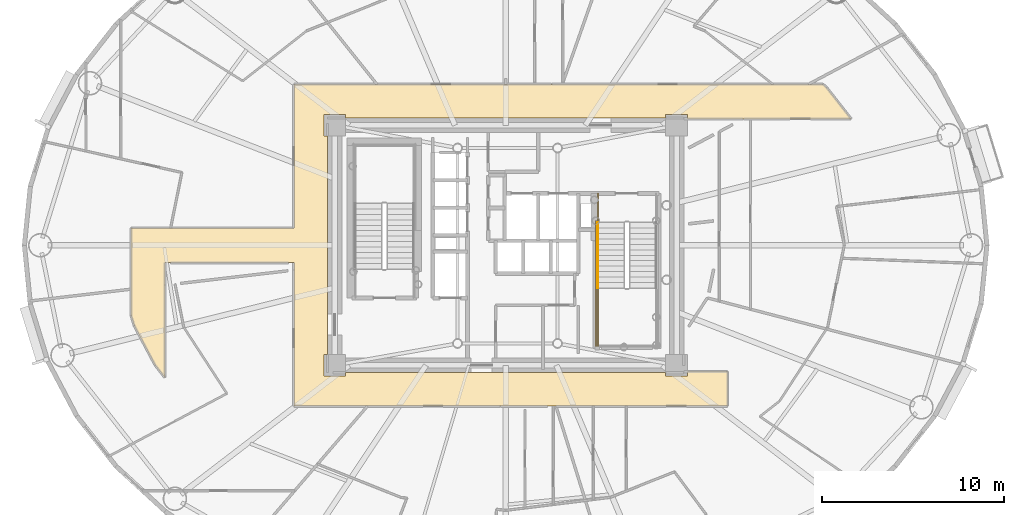
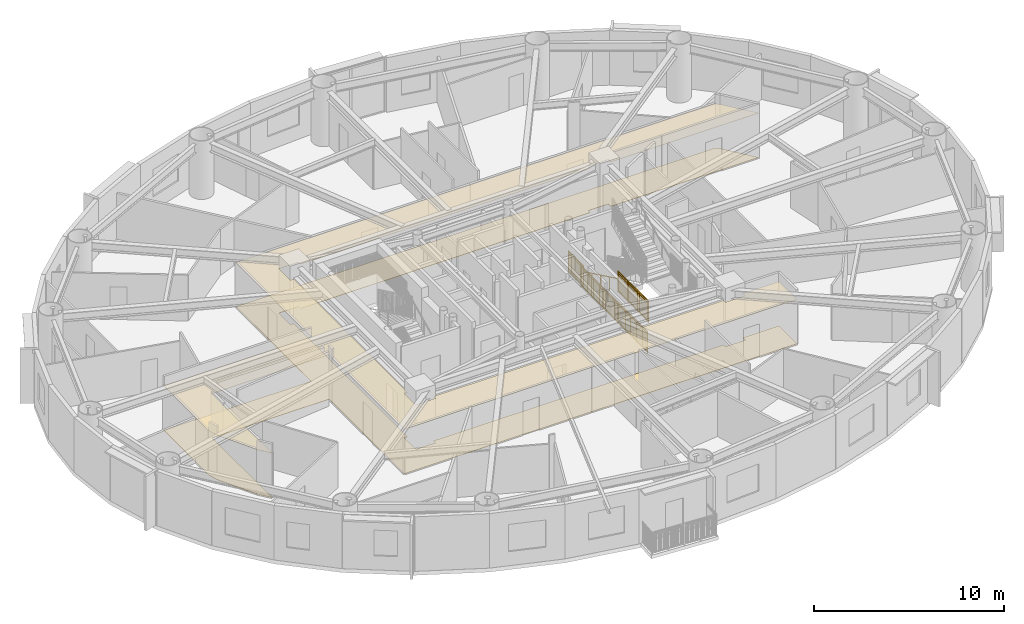
# One storey, part 14 of 18: 4 railings, 2 coverings.
"""IFC4 building model written with IfcOpenShell, lengths in metres."""

import ifcopenshell
import ifcopenshell.guid

model = None  # the IFC model being written
_history = None  # IfcOwnerHistory: only IFC2X3 demands one
_inside = {}  # id of a spatial element -> (the spatial element, [elements in it])
_under = {}  # id of a project, library or spatial element -> (it, [spatial elements below it])
_declared = {}  # id of a project -> (the project, [libraries it declares])
_typed = {}  # id of a type object -> (the type object, [elements of that type])
_made_of = {}  # id of a material, layer set ... -> (it, [elements and type objects made of it])


def new_model(schema):
    """Start an empty IFC model of exactly this schema.

    Asked for "IFC4X3", IfcOpenShell would pick the latest addendum, in which some entities
    have other attributes; the version numbers below select the first issue.
    IFC2X3 requires an IfcOwnerHistory on every rooted entity: one is made here for all.
    """
    global model, _history
    if schema == "IFC4X3":
        model = ifcopenshell.file(schema_version=(4, 3, 0, 0))
    else:
        model = ifcopenshell.file(schema=schema)
    _inside.clear()
    _under.clear()
    _declared.clear()
    _typed.clear()
    _made_of.clear()
    _history = None
    if model.schema == "IFC2X3":
        org = make("IfcOrganization", Name="unknown")
        user = make(
            "IfcPersonAndOrganization",
            ThePerson=make("IfcPerson", FamilyName="unknown"),
            TheOrganization=org,
        )
        app = make(
            "IfcApplication",
            ApplicationDeveloper=org,
            Version="unknown",
            ApplicationFullName="unknown",
            ApplicationIdentifier="unknown",
        )
        _history = make(
            "IfcOwnerHistory",
            OwningUser=user,
            OwningApplication=app,
            ChangeAction="ADDED",
            CreationDate=0,
        )
    return model


def make(cls, **values):
    """One entity of the class cls with the attributes given. An attribute that is None is left unset."""
    return model.create_entity(
        cls, **{name: value for name, value in values.items() if value is not None}
    )


def rooted(cls, **values):
    """An entity with a GlobalId (a new one), such as an element, a storey or a relation."""
    return make(cls, GlobalId=ifcopenshell.guid.new(), OwnerHistory=_history, **values)


def si_unit(unit_type, name, prefix=None):
    """IfcSIUnit, for example si_unit("LENGTHUNIT", "METRE", prefix="MILLI")."""
    return make("IfcSIUnit", UnitType=unit_type, Prefix=prefix, Name=name)


def assignment(units):
    """IfcUnitAssignment: the units of a project."""
    return None if units is None else make("IfcUnitAssignment", Units=units)


def point(xyz):
    """IfcCartesianPoint."""
    return None if xyz is None else make("IfcCartesianPoint", Coordinates=xyz)


def direction(xyz):
    """IfcDirection."""
    return None if xyz is None else make("IfcDirection", DirectionRatios=xyz)


def frame(location, z_axis=None, x_axis=None):
    """IfcAxis2Placement3D, a coordinate frame: its origin and axes. An axis left out is left unset."""
    return make(
        "IfcAxis2Placement3D",
        Location=point(location),
        Axis=direction(z_axis),
        RefDirection=direction(x_axis),
    )


def frame_2d(location, x_axis=None):
    """IfcAxis2Placement2D, a coordinate frame in the plane: its origin and x axis."""
    return make(
        "IfcAxis2Placement2D", Location=point(location), RefDirection=direction(x_axis)
    )


def origin():
    """The frame at (0, 0, 0) with its axes left unset."""
    return frame((0.0, 0.0, 0.0))


def origin_2d():
    """The frame at (0, 0) in the plane with its x axis left unset."""
    return frame_2d((0.0, 0.0))


def place(relative_to, where):
    """IfcLocalPlacement: puts the frame where relative to a parent placement (None: the world)."""
    return make(
        "IfcLocalPlacement", PlacementRelTo=relative_to, RelativePlacement=where
    )


def context(
    kind, dimensions, precision=None, world=None, true_north=None, identifier=None
):
    """IfcGeometricRepresentationContext, for example the 3D "Model" context."""
    return make(
        "IfcGeometricRepresentationContext",
        ContextIdentifier=identifier,
        ContextType=kind,
        CoordinateSpaceDimension=dimensions,
        Precision=precision,
        WorldCoordinateSystem=world,
        TrueNorth=true_north,
    )


def subcontext(parent, identifier, kind, view, scale=None):
    """IfcGeometricRepresentationSubContext, for example "Body" below "Model"."""
    return make(
        "IfcGeometricRepresentationSubContext",
        ContextIdentifier=identifier,
        ContextType=kind,
        ParentContext=parent,
        TargetScale=scale,
        TargetView=view,
    )


def project(units=None, contexts=None):
    """IfcProject with its units and contexts."""
    return rooted(
        "IfcProject",
        Name="project",
        RepresentationContexts=contexts,
        UnitsInContext=assignment(units),
    )


def spatial(cls, under=None, at=None, **own):
    """A site, building, storey or space (cls), placed at a placement, below another one or the project."""
    s = rooted(cls, ObjectPlacement=at, **own)
    if under is not None:
        _under.setdefault(under.id(), (under, []))[1].append(s)
    return s


def polyline(points):
    """IfcPolyline through the points."""
    return make("IfcPolyline", Points=[point(p) for p in points])


def profile(cls, at=None, kind="AREA", **sizes):
    """A parametric profile (cls). Its sizes go by their IFC names, for example OverallWidth=200.0."""
    return make(cls, ProfileType=kind, Position=at, **sizes)


def rectangle(**sizes):
    """IfcRectangleProfileDef."""
    return profile("IfcRectangleProfileDef", **sizes)


def outline(outer, holes=None, kind="AREA"):
    """IfcArbitraryClosedProfileDef: a profile drawn as a closed curve; with holes, ...WithVoids."""
    if holes is None:
        return make("IfcArbitraryClosedProfileDef", ProfileType=kind, OuterCurve=outer)
    return make(
        "IfcArbitraryProfileDefWithVoids",
        ProfileType=kind,
        OuterCurve=outer,
        InnerCurves=holes,
    )


def extrude(swept, where, along, depth):
    """IfcExtrudedAreaSolid: the profile swept, set in the frame where, extruded along a direction by depth."""
    return make(
        "IfcExtrudedAreaSolid",
        SweptArea=swept,
        Position=where,
        ExtrudedDirection=direction(along),
        Depth=depth,
    )


def shape(context_of_items, identifier, shape_type, items):
    """IfcShapeRepresentation: the items that make up one representation, for example the "Body"."""
    return make(
        "IfcShapeRepresentation",
        ContextOfItems=context_of_items,
        RepresentationIdentifier=identifier,
        RepresentationType=shape_type,
        Items=items,
    )


def source(mapping_origin, context_of_items, identifier, shape_type, items):
    """IfcRepresentationMap: a shape defined once, which mapped items show again and again."""
    return make(
        "IfcRepresentationMap",
        MappingOrigin=mapping_origin,
        MappedRepresentation=shape(context_of_items, identifier, shape_type, items),
    )


def transform(
    local_origin,
    x_axis=None,
    y_axis=None,
    z_axis=None,
    scale=None,
    scale2=None,
    scale3=None,
    uniform=True,
):
    """IfcCartesianTransformationOperator3D, or its non-uniform kind. x_axis, y_axis, z_axis: its Axis1, 2, 3."""
    if uniform:
        return make(
            "IfcCartesianTransformationOperator3D",
            Axis1=direction(x_axis),
            Axis2=direction(y_axis),
            LocalOrigin=point(local_origin),
            Scale=scale,
            Axis3=direction(z_axis),
        )
    return make(
        "IfcCartesianTransformationOperator3DnonUniform",
        Axis1=direction(x_axis),
        Axis2=direction(y_axis),
        LocalOrigin=point(local_origin),
        Scale=scale,
        Axis3=direction(z_axis),
        Scale2=scale2,
        Scale3=scale3,
    )


def mapped(mapping_source, mapping_target):
    """IfcMappedItem: shows the shape of a source again, moved by a transform."""
    return make(
        "IfcMappedItem", MappingSource=mapping_source, MappingTarget=mapping_target
    )


def material(Name=None, Category=None):
    """IfcMaterial."""
    return make("IfcMaterial", Name=Name, Category=Category)


def layer(
    of_material, thickness, ventilated=None, Name=None, Category=None, Priority=None
):
    """IfcMaterialLayer: one layer of a wall or slab, of a material (None: an air gap)."""
    return make(
        "IfcMaterialLayer",
        Material=of_material,
        LayerThickness=thickness,
        IsVentilated=ventilated,
        Name=Name,
        Category=Category,
        Priority=Priority,
    )


def layer_set(layers, Name=None):
    """IfcMaterialLayerSet."""
    return make("IfcMaterialLayerSet", MaterialLayers=layers, LayerSetName=Name)


def made_of(thing, what):
    """Note that an element or type object is made of a material, layer set ...; save() writes the relation."""
    if what is not None:
        _made_of.setdefault(what.id(), (what, []))[1].append(thing)
    return thing


def type_object(cls, material=None, **own):
    """A type object (cls), such as IfcWallType, which elements share."""
    return made_of(rooted(cls, **own), material)


def element(
    cls,
    number,
    at=None,
    inside=None,
    cuts=None,
    type_object=None,
    material=None,
    context=None,
    identifier="Body",
    shape_type=None,
    held_by="IfcProductDefinitionShape",
    body=None,
    shapes=None,
    **own,
):
    """One element of the class cls, such as IfcWall. Its Tag is "e" and its number.

    at: its placement. inside: the storey or other place that contains it. cuts: it is an
    opening in that element (IfcRelVoidsElement). A single representation is given by context,
    identifier, shape_type and body (its items); several are given by shapes. held_by: the class
    of the entity that holds the representations. save() writes the other relations.
    """
    e = rooted(cls, Tag="e%d" % number, ObjectPlacement=at, **own)
    if body is not None:
        shapes = [shape(context, identifier, shape_type, body)]
    if shapes is not None:
        e.Representation = make(held_by, Representations=shapes)
    if inside is not None:
        _inside.setdefault(inside.id(), (inside, []))[1].append(e)
    if cuts is not None:
        rooted(
            "IfcRelVoidsElement", RelatingBuildingElement=cuts, RelatedOpeningElement=e
        )
    if type_object is not None:
        _typed.setdefault(type_object.id(), (type_object, []))[1].append(e)
    return made_of(e, material)


def aggregate(whole, parts):
    """IfcRelAggregates: a whole, such as a stair, and the parts it consists of."""
    return rooted("IfcRelAggregates", RelatingObject=whole, RelatedObjects=parts)


def save(model, path):
    """Write the relations noted so far, then the file.

    IfcRelAggregates (storeys below a building ...), IfcRelContainedInSpatialStructure (elements
    in a storey), IfcRelDefinesByType, IfcRelAssociatesMaterial and IfcRelDeclares: one each for
    every whole, place, type object, material and project.
    """
    for whole, parts in _under.values():
        aggregate(whole, parts)
    for where, things in _inside.values():
        rooted(
            "IfcRelContainedInSpatialStructure",
            RelatedElements=things,
            RelatingStructure=where,
        )
    for kind, things in _typed.values():
        rooted("IfcRelDefinesByType", RelatedObjects=things, RelatingType=kind)
    for what, things in _made_of.values():
        rooted("IfcRelAssociatesMaterial", RelatedObjects=things, RelatingMaterial=what)
    for by, libraries in _declared.values():
        rooted("IfcRelDeclares", RelatingContext=by, RelatedDefinitions=libraries)
    model.write(path)


model = new_model("IFC4")

# Units and contexts
model_context = context("Model", 3, precision=1e-05, world=origin(), true_north=direction((0.0, 1.0)))
body_context = subcontext(model_context, "Body", "Model", "MODEL_VIEW")
ifc_project = project(units=[si_unit("LENGTHUNIT", "METRE"), si_unit("AREAUNIT", "SQUARE_METRE"), si_unit("VOLUMEUNIT", "CUBIC_METRE"), si_unit("PLANEANGLEUNIT", "RADIAN"), si_unit("MASSUNIT", "GRAM", prefix="KILO")], contexts=[model_context])

# Site, building, storey
site_placement = place(None, origin())
site = spatial("IfcSite", under=ifc_project, at=site_placement, CompositionType="ELEMENT")
building_placement = place(site_placement, origin())
building = spatial("IfcBuilding", under=site, at=building_placement, Name="Linh Dai School and Residence Tower", CompositionType="ELEMENT")
storey_placement = place(building_placement, frame((0.0, 0.0, 178.64990234375)))
storey = spatial("IfcBuildingStorey", under=building, at=storey_placement, Name="L43", CompositionType="ELEMENT", Elevation=178.64990234375)

# Coverings
ifc_material_1 = material(Name="Mineral Fibre Acoustic Suspended Ceiling", Category="masonry")
ifc_layer_1 = layer(ifc_material_1, 0.02001953125)
ifc_layer_set_1 = layer_set([ifc_layer_1], Name="Mineral Fibre Acoustic Suspended Ceiling")
covering_type_1 = type_object("IfcCoveringType", Name="COV-CEIL-AC-20", PredefinedType="CEILING", material=ifc_layer_set_1)
covering_1_placement = place(storey_placement, frame((0.0, 0.0, 2.85009765625)))
element("IfcCovering", 1, at=covering_1_placement, inside=storey, type_object=covering_type_1, Name="L43 Residential Floor Corridor Suspended Ceiling", PredefinedType="CEILING", context=body_context, shape_type="SweptSolid", body=[
    extrude(outline(polyline([(17.25, 19.734375), (16.720458984375, 20.410888671875), (15.57421875, 22.577880859375), (15.39990234375, 23.14599609375), (15.39990234375, 27.949951171875), (24.35009765625, 27.949951171875), (24.35009765625, 35.85009765625), (53.453857421875, 35.85009765625), (53.6533203125, 35.6669921875), (54.9970703125, 33.949951171875), (46.0, 33.949951171875), (46.0, 34.199951171875), (44.800048828125, 34.199951171875), (44.800048828125, 34.0), (27.199951171875, 34.0), (27.199951171875, 34.199951171875), (26.0, 34.199951171875), (26.0, 33.0), (26.199951171875, 33.0), (26.199951171875, 21.0), (26.0, 21.0), (26.0, 19.800048828125), (27.199951171875, 19.800048828125), (27.199951171875, 20.0), (44.800048828125, 20.0), (44.800048828125, 19.800048828125), (46.0, 19.800048828125), (46.0, 20.050048828125), (48.199951171875, 20.050048828125), (48.199951171875, 18.14990234375), (24.35009765625, 18.14990234375), (24.35009765625, 26.050048828125), (17.25, 26.050048828125), (17.25, 19.734375)])), origin(), (0.0, 0.0, 1.0), 0.02001953125),
])
ifc_material_2 = material(Name="Polished Terrazzo Floor Finish", Category="masonry")
ifc_layer_2 = layer(ifc_material_2, 0.02490234375)
ifc_layer_set_2 = layer_set([ifc_layer_2], Name="Polished Terrazzo Floor Finish")
covering_type_2 = type_object("IfcCoveringType", Name="COV-FLR-TRZ-25", PredefinedType="FLOORING", material=ifc_layer_set_2)
covering_2_placement = place(storey_placement, origin())
element("IfcCovering", 2, at=covering_2_placement, inside=storey, type_object=covering_type_2, Name="L43 Residential Floor Corridor Floor Finish", PredefinedType="FLOORING", context=body_context, shape_type="SweptSolid", body=[
    extrude(outline(polyline([(17.25, 19.734375), (16.720458984375, 20.410888671875), (15.57421875, 22.577880859375), (15.39990234375, 23.14599609375), (15.39990234375, 27.949951171875), (24.35009765625, 27.949951171875), (24.35009765625, 35.85009765625), (53.453857421875, 35.85009765625), (53.6533203125, 35.6669921875), (54.9970703125, 33.949951171875), (46.0, 33.949951171875), (46.0, 34.199951171875), (44.800048828125, 34.199951171875), (44.800048828125, 34.0), (27.199951171875, 34.0), (27.199951171875, 34.199951171875), (26.0, 34.199951171875), (26.0, 33.0), (26.199951171875, 33.0), (26.199951171875, 21.0), (26.0, 21.0), (26.0, 19.800048828125), (27.199951171875, 19.800048828125), (27.199951171875, 20.0), (44.800048828125, 20.0), (44.800048828125, 19.800048828125), (46.0, 19.800048828125), (46.0, 20.050048828125), (48.199951171875, 20.050048828125), (48.199951171875, 18.14990234375), (24.35009765625, 18.14990234375), (24.35009765625, 26.050048828125), (17.25, 26.050048828125), (17.25, 19.734375)])), origin(), (0.0, 0.0, 1.0), 0.02001953125),
])

# Railings
ifc_material_3 = material(Name="Brushed Stainless Steel Handrail", Category="steel")
railing_type_1 = type_object("IfcRailingType", Name="RL-ST-HANDRAIL-900", PredefinedType="HANDRAIL", material=ifc_material_3)
shared_shape_1 = source(origin(), body_context, "Body", "SweptSolid", [
    extrude(rectangle(XDim=0.048095703125, YDim=0.048095703125, at=origin_2d()), frame((0.0, 0.0, 0.8759765625), z_axis=(0.0, -0.901262522062, 0.433273431364), x_axis=(1.0, 0.0, 0.0)), (0.0, 0.0, 1.0), 3.994384765625),
    extrude(rectangle(XDim=0.0419921875, YDim=0.0419921875, at=origin_2d()), origin(), (0.0, 0.0, 1.0), 0.8759765625),
    extrude(rectangle(XDim=0.0419921875, YDim=0.0419921875, at=origin_2d()), frame((0.0, -0.89990234375, 0.4326171875)), (0.0, 0.0, 1.0), 0.8759765625),
    extrude(rectangle(XDim=0.0419921875, YDim=0.0419921875, at=origin_2d()), frame((0.0, -1.800048828125, 0.865234375)), (0.0, 0.0, 1.0), 0.8759765625),
    extrude(rectangle(XDim=0.0419921875, YDim=0.0419921875, at=origin_2d()), frame((0.0, -2.7001953125, 1.298095703125)), (0.0, 0.0, 1.0), 0.8759765625),
    extrude(rectangle(XDim=0.0419921875, YDim=0.0419921875, at=origin_2d()), frame((0.0, -3.60009765625, 1.730712890625)), (0.0, 0.0, 1.0), 0.8759765625),
])
railing_1_placement = place(storey_placement, frame((41.070068359375, 28.25, 0.144287109375)))
element("IfcRailing", 3, at=railing_1_placement, inside=storey, type_object=railing_type_1, Name="L43 ST2 stair handrail 1", PredefinedType="HANDRAIL", context=body_context, shape_type="MappedRepresentation", body=[
    mapped(shared_shape_1, transform((0.0, 0.0, 0.0), x_axis=(1.0, 0.0, 0.0), y_axis=(0.0, 1.0, 0.0), z_axis=(0.0, 0.0, 1.0), scale=1.0)),
])
ifc_material_4 = material(Name="Structural Steel S355JR", Category="steel")
railing_type_2 = type_object("IfcRailingType", Name="RL-ST-GUARD-1400", PredefinedType="GUARDRAIL", material=ifc_material_4)
shared_shape_2 = source(origin(), body_context, "Body", "SweptSolid", [
    extrude(rectangle(XDim=0.048095703125, YDim=0.048095703125, at=origin_2d()), frame((0.0, 0.0, 1.3759765625), z_axis=(0.0, -1.0, 0.0), x_axis=(1.0, 0.0, 0.0)), (0.0, 0.0, 1.0), 1.60009765625),
    extrude(rectangle(XDim=0.048095703125, YDim=0.048095703125, at=origin_2d()), frame((0.0, 0.0, 0.10009765625), z_axis=(0.0, -1.0, 0.0), x_axis=(1.0, 0.0, 0.0)), (0.0, 0.0, 1.0), 1.60009765625),
    extrude(rectangle(XDim=0.030029296875, YDim=0.030029296875, at=origin_2d()), frame((0.0, 0.0, 1.239990234375), z_axis=(0.0, -1.0, 0.0), x_axis=(1.0, 0.0, 0.0)), (0.0, 0.0, 1.0), 1.60009765625),
    extrude(rectangle(XDim=0.02001953125, YDim=0.02001953125, at=origin_2d()), frame((0.0, -0.09423828125, 0.10009765625)), (0.0, 0.0, 1.0), 1.251708984375),
    extrude(rectangle(XDim=0.02001953125, YDim=0.02001953125, at=origin_2d()), frame((0.0, -0.188232421875, 0.10009765625)), (0.0, 0.0, 1.0), 1.251708984375),
    extrude(rectangle(XDim=0.02001953125, YDim=0.02001953125, at=origin_2d()), frame((0.0, -0.282470703125, 0.10009765625)), (0.0, 0.0, 1.0), 1.251708984375),
    extrude(rectangle(XDim=0.02001953125, YDim=0.02001953125, at=origin_2d()), frame((0.0, -0.37646484375, 0.10009765625)), (0.0, 0.0, 1.0), 1.251708984375),
    extrude(rectangle(XDim=0.02001953125, YDim=0.02001953125, at=origin_2d()), frame((0.0, -0.470703125, 0.10009765625)), (0.0, 0.0, 1.0), 1.251708984375),
    extrude(rectangle(XDim=0.02001953125, YDim=0.02001953125, at=origin_2d()), frame((0.0, -0.564697265625, 0.10009765625)), (0.0, 0.0, 1.0), 1.251708984375),
    extrude(rectangle(XDim=0.02001953125, YDim=0.02001953125, at=origin_2d()), frame((0.0, -0.658935546875, 0.10009765625)), (0.0, 0.0, 1.0), 1.251708984375),
    extrude(rectangle(XDim=0.02001953125, YDim=0.02001953125, at=origin_2d()), frame((0.0, -0.7529296875, 0.10009765625)), (0.0, 0.0, 1.0), 1.251708984375),
    extrude(rectangle(XDim=0.02001953125, YDim=0.02001953125, at=origin_2d()), frame((0.0, -0.84716796875, 0.10009765625)), (0.0, 0.0, 1.0), 1.251708984375),
    extrude(rectangle(XDim=0.02001953125, YDim=0.02001953125, at=origin_2d()), frame((0.0, -0.941162109375, 0.10009765625)), (0.0, 0.0, 1.0), 1.251708984375),
    extrude(rectangle(XDim=0.02001953125, YDim=0.02001953125, at=origin_2d()), frame((0.0, -1.035400390625, 0.10009765625)), (0.0, 0.0, 1.0), 1.251708984375),
    extrude(rectangle(XDim=0.02001953125, YDim=0.02001953125, at=origin_2d()), frame((0.0, -1.12939453125, 0.10009765625)), (0.0, 0.0, 1.0), 1.251708984375),
    extrude(rectangle(XDim=0.02001953125, YDim=0.02001953125, at=origin_2d()), frame((0.0, -1.2236328125, 0.10009765625)), (0.0, 0.0, 1.0), 1.251708984375),
    extrude(rectangle(XDim=0.02001953125, YDim=0.02001953125, at=origin_2d()), frame((0.0, -1.317626953125, 0.10009765625)), (0.0, 0.0, 1.0), 1.251708984375),
    extrude(rectangle(XDim=0.02001953125, YDim=0.02001953125, at=origin_2d()), frame((0.0, -1.411865234375, 0.10009765625)), (0.0, 0.0, 1.0), 1.251708984375),
    extrude(rectangle(XDim=0.02001953125, YDim=0.02001953125, at=origin_2d()), frame((0.0, -1.505859375, 0.10009765625)), (0.0, 0.0, 1.0), 1.251708984375),
    extrude(rectangle(XDim=0.0419921875, YDim=0.0419921875, at=origin_2d()), origin(), (0.0, 0.0, 1.0), 1.3759765625),
    extrude(rectangle(XDim=0.0419921875, YDim=0.0419921875, at=origin_2d()), frame((0.0, -0.800048828125, 0.0)), (0.0, 0.0, 1.0), 1.3759765625),
    extrude(rectangle(XDim=0.0419921875, YDim=0.0419921875, at=origin_2d()), frame((0.0, -1.60009765625, 0.0)), (0.0, 0.0, 1.0), 1.3759765625),
])
railing_2_placement = place(storey_placement, frame((41.070068359375, 29.85009765625, 0.0)))
element("IfcRailing", 4, at=railing_2_placement, inside=storey, type_object=railing_type_2, Name="L43 ST2 stair guard 8", PredefinedType="GUARDRAIL", context=body_context, shape_type="MappedRepresentation", body=[
    mapped(shared_shape_2, transform((0.0, 0.0, 0.0), x_axis=(1.0, 0.0, 0.0), y_axis=(0.0, 1.0, 0.0), z_axis=(0.0, 0.0, 1.0), scale=1.0)),
])
shared_shape_3 = source(origin(), body_context, "Body", "SweptSolid", [
    extrude(rectangle(XDim=0.048095703125, YDim=0.048095703125, at=origin_2d()), frame((0.0, 0.0, 1.3759765625), z_axis=(0.0, -1.0, 0.0), x_axis=(1.0, 0.0, 0.0)), (0.0, 0.0, 1.0), 7.0),
    extrude(rectangle(XDim=0.048095703125, YDim=0.048095703125, at=origin_2d()), frame((0.0, 0.0, 0.10009765625), z_axis=(0.0, -1.0, 0.0), x_axis=(1.0, 0.0, 0.0)), (0.0, 0.0, 1.0), 7.0),
    extrude(rectangle(XDim=0.030029296875, YDim=0.030029296875, at=origin_2d()), frame((0.0, 0.0, 1.239990234375), z_axis=(0.0, -1.0, 0.0), x_axis=(1.0, 0.0, 0.0)), (0.0, 0.0, 1.0), 7.0),
    extrude(rectangle(XDim=0.02001953125, YDim=0.02001953125, at=origin_2d()), frame((0.0, -0.09716796875, 0.10009765625)), (0.0, 0.0, 1.0), 1.251708984375),
    extrude(rectangle(XDim=0.02001953125, YDim=0.02001953125, at=origin_2d()), frame((0.0, -0.1943359375, 0.10009765625)), (0.0, 0.0, 1.0), 1.251708984375),
    extrude(rectangle(XDim=0.02001953125, YDim=0.02001953125, at=origin_2d()), frame((0.0, -0.291748046875, 0.10009765625)), (0.0, 0.0, 1.0), 1.251708984375),
    extrude(rectangle(XDim=0.02001953125, YDim=0.02001953125, at=origin_2d()), frame((0.0, -0.388916015625, 0.10009765625)), (0.0, 0.0, 1.0), 1.251708984375),
    extrude(rectangle(XDim=0.02001953125, YDim=0.02001953125, at=origin_2d()), frame((0.0, -0.486083984375, 0.10009765625)), (0.0, 0.0, 1.0), 1.251708984375),
    extrude(rectangle(XDim=0.02001953125, YDim=0.02001953125, at=origin_2d()), frame((0.0, -0.583251953125, 0.10009765625)), (0.0, 0.0, 1.0), 1.251708984375),
    extrude(rectangle(XDim=0.02001953125, YDim=0.02001953125, at=origin_2d()), frame((0.0, -0.6806640625, 0.10009765625)), (0.0, 0.0, 1.0), 1.251708984375),
    extrude(rectangle(XDim=0.02001953125, YDim=0.02001953125, at=origin_2d()), frame((0.0, -0.77783203125, 0.10009765625)), (0.0, 0.0, 1.0), 1.251708984375),
    extrude(rectangle(XDim=0.02001953125, YDim=0.02001953125, at=origin_2d()), frame((0.0, -0.875, 0.10009765625)), (0.0, 0.0, 1.0), 1.251708984375),
    extrude(rectangle(XDim=0.02001953125, YDim=0.02001953125, at=origin_2d()), frame((0.0, -0.97216796875, 0.10009765625)), (0.0, 0.0, 1.0), 1.251708984375),
    extrude(rectangle(XDim=0.02001953125, YDim=0.02001953125, at=origin_2d()), frame((0.0, -1.0693359375, 0.10009765625)), (0.0, 0.0, 1.0), 1.251708984375),
    extrude(rectangle(XDim=0.02001953125, YDim=0.02001953125, at=origin_2d()), frame((0.0, -1.263916015625, 0.10009765625)), (0.0, 0.0, 1.0), 1.251708984375),
    extrude(rectangle(XDim=0.02001953125, YDim=0.02001953125, at=origin_2d()), frame((0.0, -1.361083984375, 0.10009765625)), (0.0, 0.0, 1.0), 1.251708984375),
    extrude(rectangle(XDim=0.02001953125, YDim=0.02001953125, at=origin_2d()), frame((0.0, -1.458251953125, 0.10009765625)), (0.0, 0.0, 1.0), 1.251708984375),
    extrude(rectangle(XDim=0.02001953125, YDim=0.02001953125, at=origin_2d()), frame((0.0, -1.5556640625, 0.10009765625)), (0.0, 0.0, 1.0), 1.251708984375),
    extrude(rectangle(XDim=0.02001953125, YDim=0.02001953125, at=origin_2d()), frame((0.0, -1.65283203125, 0.10009765625)), (0.0, 0.0, 1.0), 1.251708984375),
    extrude(rectangle(XDim=0.02001953125, YDim=0.02001953125, at=origin_2d()), frame((0.0, -1.75, 0.10009765625)), (0.0, 0.0, 1.0), 1.251708984375),
    extrude(rectangle(XDim=0.02001953125, YDim=0.02001953125, at=origin_2d()), frame((0.0, -1.84716796875, 0.10009765625)), (0.0, 0.0, 1.0), 1.251708984375),
    extrude(rectangle(XDim=0.02001953125, YDim=0.02001953125, at=origin_2d()), frame((0.0, -1.9443359375, 0.10009765625)), (0.0, 0.0, 1.0), 1.251708984375),
    extrude(rectangle(XDim=0.02001953125, YDim=0.02001953125, at=origin_2d()), frame((0.0, -2.041748046875, 0.10009765625)), (0.0, 0.0, 1.0), 1.251708984375),
    extrude(rectangle(XDim=0.02001953125, YDim=0.02001953125, at=origin_2d()), frame((0.0, -2.138916015625, 0.10009765625)), (0.0, 0.0, 1.0), 1.251708984375),
    extrude(rectangle(XDim=0.02001953125, YDim=0.02001953125, at=origin_2d()), frame((0.0, -2.236083984375, 0.10009765625)), (0.0, 0.0, 1.0), 1.251708984375),
    extrude(rectangle(XDim=0.02001953125, YDim=0.02001953125, at=origin_2d()), frame((0.0, -2.4306640625, 0.10009765625)), (0.0, 0.0, 1.0), 1.251708984375),
    extrude(rectangle(XDim=0.02001953125, YDim=0.02001953125, at=origin_2d()), frame((0.0, -2.52783203125, 0.10009765625)), (0.0, 0.0, 1.0), 1.251708984375),
    extrude(rectangle(XDim=0.02001953125, YDim=0.02001953125, at=origin_2d()), frame((0.0, -2.625, 0.10009765625)), (0.0, 0.0, 1.0), 1.251708984375),
    extrude(rectangle(XDim=0.02001953125, YDim=0.02001953125, at=origin_2d()), frame((0.0, -2.72216796875, 0.10009765625)), (0.0, 0.0, 1.0), 1.251708984375),
    extrude(rectangle(XDim=0.02001953125, YDim=0.02001953125, at=origin_2d()), frame((0.0, -2.8193359375, 0.10009765625)), (0.0, 0.0, 1.0), 1.251708984375),
    extrude(rectangle(XDim=0.02001953125, YDim=0.02001953125, at=origin_2d()), frame((0.0, -2.916748046875, 0.10009765625)), (0.0, 0.0, 1.0), 1.251708984375),
    extrude(rectangle(XDim=0.02001953125, YDim=0.02001953125, at=origin_2d()), frame((0.0, -3.013916015625, 0.10009765625)), (0.0, 0.0, 1.0), 1.251708984375),
    extrude(rectangle(XDim=0.02001953125, YDim=0.02001953125, at=origin_2d()), frame((0.0, -3.111083984375, 0.10009765625)), (0.0, 0.0, 1.0), 1.251708984375),
    extrude(rectangle(XDim=0.02001953125, YDim=0.02001953125, at=origin_2d()), frame((0.0, -3.208251953125, 0.10009765625)), (0.0, 0.0, 1.0), 1.251708984375),
    extrude(rectangle(XDim=0.02001953125, YDim=0.02001953125, at=origin_2d()), frame((0.0, -3.3056640625, 0.10009765625)), (0.0, 0.0, 1.0), 1.251708984375),
    extrude(rectangle(XDim=0.02001953125, YDim=0.02001953125, at=origin_2d()), frame((0.0, -3.40283203125, 0.10009765625)), (0.0, 0.0, 1.0), 1.251708984375),
    extrude(rectangle(XDim=0.02001953125, YDim=0.02001953125, at=origin_2d()), frame((0.0, -3.59716796875, 0.10009765625)), (0.0, 0.0, 1.0), 1.251708984375),
    extrude(rectangle(XDim=0.02001953125, YDim=0.02001953125, at=origin_2d()), frame((0.0, -3.6943359375, 0.10009765625)), (0.0, 0.0, 1.0), 1.251708984375),
    extrude(rectangle(XDim=0.02001953125, YDim=0.02001953125, at=origin_2d()), frame((0.0, -3.791748046875, 0.10009765625)), (0.0, 0.0, 1.0), 1.251708984375),
    extrude(rectangle(XDim=0.02001953125, YDim=0.02001953125, at=origin_2d()), frame((0.0, -3.888916015625, 0.10009765625)), (0.0, 0.0, 1.0), 1.251708984375),
    extrude(rectangle(XDim=0.02001953125, YDim=0.02001953125, at=origin_2d()), frame((0.0, -3.986083984375, 0.10009765625)), (0.0, 0.0, 1.0), 1.251708984375),
    extrude(rectangle(XDim=0.02001953125, YDim=0.02001953125, at=origin_2d()), frame((0.0, -4.083251953125, 0.10009765625)), (0.0, 0.0, 1.0), 1.251708984375),
    extrude(rectangle(XDim=0.02001953125, YDim=0.02001953125, at=origin_2d()), frame((0.0, -4.1806640625, 0.10009765625)), (0.0, 0.0, 1.0), 1.251708984375),
    extrude(rectangle(XDim=0.02001953125, YDim=0.02001953125, at=origin_2d()), frame((0.0, -4.27783203125, 0.10009765625)), (0.0, 0.0, 1.0), 1.251708984375),
    extrude(rectangle(XDim=0.02001953125, YDim=0.02001953125, at=origin_2d()), frame((0.0, -4.375, 0.10009765625)), (0.0, 0.0, 1.0), 1.251708984375),
    extrude(rectangle(XDim=0.02001953125, YDim=0.02001953125, at=origin_2d()), frame((0.0, -4.47216796875, 0.10009765625)), (0.0, 0.0, 1.0), 1.251708984375),
    extrude(rectangle(XDim=0.02001953125, YDim=0.02001953125, at=origin_2d()), frame((0.0, -4.5693359375, 0.10009765625)), (0.0, 0.0, 1.0), 1.251708984375),
    extrude(rectangle(XDim=0.02001953125, YDim=0.02001953125, at=origin_2d()), frame((0.0, -4.763916015625, 0.10009765625)), (0.0, 0.0, 1.0), 1.251708984375),
    extrude(rectangle(XDim=0.02001953125, YDim=0.02001953125, at=origin_2d()), frame((0.0, -4.861083984375, 0.10009765625)), (0.0, 0.0, 1.0), 1.251708984375),
    extrude(rectangle(XDim=0.02001953125, YDim=0.02001953125, at=origin_2d()), frame((0.0, -4.958251953125, 0.10009765625)), (0.0, 0.0, 1.0), 1.251708984375),
    extrude(rectangle(XDim=0.02001953125, YDim=0.02001953125, at=origin_2d()), frame((0.0, -5.0556640625, 0.10009765625)), (0.0, 0.0, 1.0), 1.251708984375),
    extrude(rectangle(XDim=0.02001953125, YDim=0.02001953125, at=origin_2d()), frame((0.0, -5.15283203125, 0.10009765625)), (0.0, 0.0, 1.0), 1.251708984375),
    extrude(rectangle(XDim=0.02001953125, YDim=0.02001953125, at=origin_2d()), frame((0.0, -5.25, 0.10009765625)), (0.0, 0.0, 1.0), 1.251708984375),
    extrude(rectangle(XDim=0.02001953125, YDim=0.02001953125, at=origin_2d()), frame((0.0, -5.34716796875, 0.10009765625)), (0.0, 0.0, 1.0), 1.251708984375),
    extrude(rectangle(XDim=0.02001953125, YDim=0.02001953125, at=origin_2d()), frame((0.0, -5.4443359375, 0.10009765625)), (0.0, 0.0, 1.0), 1.251708984375),
    extrude(rectangle(XDim=0.02001953125, YDim=0.02001953125, at=origin_2d()), frame((0.0, -5.541748046875, 0.10009765625)), (0.0, 0.0, 1.0), 1.251708984375),
    extrude(rectangle(XDim=0.02001953125, YDim=0.02001953125, at=origin_2d()), frame((0.0, -5.638916015625, 0.10009765625)), (0.0, 0.0, 1.0), 1.251708984375),
    extrude(rectangle(XDim=0.02001953125, YDim=0.02001953125, at=origin_2d()), frame((0.0, -5.736083984375, 0.10009765625)), (0.0, 0.0, 1.0), 1.251708984375),
    extrude(rectangle(XDim=0.02001953125, YDim=0.02001953125, at=origin_2d()), frame((0.0, -5.9306640625, 0.10009765625)), (0.0, 0.0, 1.0), 1.251708984375),
    extrude(rectangle(XDim=0.02001953125, YDim=0.02001953125, at=origin_2d()), frame((0.0, -6.02783203125, 0.10009765625)), (0.0, 0.0, 1.0), 1.251708984375),
    extrude(rectangle(XDim=0.02001953125, YDim=0.02001953125, at=origin_2d()), frame((0.0, -6.125, 0.10009765625)), (0.0, 0.0, 1.0), 1.251708984375),
    extrude(rectangle(XDim=0.02001953125, YDim=0.02001953125, at=origin_2d()), frame((0.0, -6.22216796875, 0.10009765625)), (0.0, 0.0, 1.0), 1.251708984375),
    extrude(rectangle(XDim=0.02001953125, YDim=0.02001953125, at=origin_2d()), frame((0.0, -6.3193359375, 0.10009765625)), (0.0, 0.0, 1.0), 1.251708984375),
    extrude(rectangle(XDim=0.02001953125, YDim=0.02001953125, at=origin_2d()), frame((0.0, -6.416748046875, 0.10009765625)), (0.0, 0.0, 1.0), 1.251708984375),
    extrude(rectangle(XDim=0.02001953125, YDim=0.02001953125, at=origin_2d()), frame((0.0, -6.513916015625, 0.10009765625)), (0.0, 0.0, 1.0), 1.251708984375),
    extrude(rectangle(XDim=0.02001953125, YDim=0.02001953125, at=origin_2d()), frame((0.0, -6.611083984375, 0.10009765625)), (0.0, 0.0, 1.0), 1.251708984375),
    extrude(rectangle(XDim=0.02001953125, YDim=0.02001953125, at=origin_2d()), frame((0.0, -6.708251953125, 0.10009765625)), (0.0, 0.0, 1.0), 1.251708984375),
    extrude(rectangle(XDim=0.02001953125, YDim=0.02001953125, at=origin_2d()), frame((0.0, -6.8056640625, 0.10009765625)), (0.0, 0.0, 1.0), 1.251708984375),
    extrude(rectangle(XDim=0.02001953125, YDim=0.02001953125, at=origin_2d()), frame((0.0, -6.90283203125, 0.10009765625)), (0.0, 0.0, 1.0), 1.251708984375),
    extrude(rectangle(XDim=0.0419921875, YDim=0.0419921875, at=origin_2d()), origin(), (0.0, 0.0, 1.0), 1.3759765625),
    extrude(rectangle(XDim=0.0419921875, YDim=0.0419921875, at=origin_2d()), frame((0.0, -1.166748046875, 0.0)), (0.0, 0.0, 1.0), 1.3759765625),
    extrude(rectangle(XDim=0.0419921875, YDim=0.0419921875, at=origin_2d()), frame((0.0, -2.333251953125, 0.0)), (0.0, 0.0, 1.0), 1.3759765625),
    extrude(rectangle(XDim=0.0419921875, YDim=0.0419921875, at=origin_2d()), frame((0.0, -3.5, 0.0)), (0.0, 0.0, 1.0), 1.3759765625),
    extrude(rectangle(XDim=0.0419921875, YDim=0.0419921875, at=origin_2d()), frame((0.0, -4.666748046875, 0.0)), (0.0, 0.0, 1.0), 1.3759765625),
    extrude(rectangle(XDim=0.0419921875, YDim=0.0419921875, at=origin_2d()), frame((0.0, -5.833251953125, 0.0)), (0.0, 0.0, 1.0), 1.3759765625),
    extrude(rectangle(XDim=0.0419921875, YDim=0.0419921875, at=origin_2d()), frame((0.0, -7.0, 0.0)), (0.0, 0.0, 1.0), 1.3759765625),
])
railing_3_placement = place(storey_placement, frame((40.969970703125, 28.35009765625, 0.0)))
element("IfcRailing", 5, at=railing_3_placement, inside=storey, type_object=railing_type_2, Name="L43 ST2 stair guard 10", PredefinedType="GUARDRAIL", context=body_context, shape_type="MappedRepresentation", body=[
    mapped(shared_shape_3, transform((0.0, 0.0, 0.0), x_axis=(1.0, 0.0, 0.0), y_axis=(0.0, 1.0, 0.0), z_axis=(0.0, 0.0, 1.0), scale=1.0)),
])
shared_shape_4 = source(origin(), body_context, "Body", "SweptSolid", [
    extrude(rectangle(XDim=0.048095703125, YDim=0.048095703125, at=origin_2d()), frame((0.0, 0.0, 1.3759765625), z_axis=(0.0, -1.0, 0.0), x_axis=(1.0, 0.0, 0.0)), (0.0, 0.0, 1.0), 3.199951171875),
    extrude(rectangle(XDim=0.048095703125, YDim=0.048095703125, at=origin_2d()), frame((0.0, 0.0, 0.10009765625), z_axis=(0.0, -1.0, 0.0), x_axis=(1.0, 0.0, 0.0)), (0.0, 0.0, 1.0), 3.199951171875),
    extrude(rectangle(XDim=0.030029296875, YDim=0.030029296875, at=origin_2d()), frame((0.0, 0.0, 1.239990234375), z_axis=(0.0, -1.0, 0.0), x_axis=(1.0, 0.0, 0.0)), (0.0, 0.0, 1.0), 3.199951171875),
    extrude(rectangle(XDim=0.02001953125, YDim=0.02001953125, at=origin_2d()), frame((0.0, -0.096923828125, 0.10009765625)), (0.0, 0.0, 1.0), 1.251708984375),
    extrude(rectangle(XDim=0.02001953125, YDim=0.02001953125, at=origin_2d()), frame((0.0, -0.19384765625, 0.10009765625)), (0.0, 0.0, 1.0), 1.251708984375),
    extrude(rectangle(XDim=0.02001953125, YDim=0.02001953125, at=origin_2d()), frame((0.0, -0.291015625, 0.10009765625)), (0.0, 0.0, 1.0), 1.251708984375),
    extrude(rectangle(XDim=0.02001953125, YDim=0.02001953125, at=origin_2d()), frame((0.0, -0.387939453125, 0.10009765625)), (0.0, 0.0, 1.0), 1.251708984375),
    extrude(rectangle(XDim=0.02001953125, YDim=0.02001953125, at=origin_2d()), frame((0.0, -0.48486328125, 0.10009765625)), (0.0, 0.0, 1.0), 1.251708984375),
    extrude(rectangle(XDim=0.02001953125, YDim=0.02001953125, at=origin_2d()), frame((0.0, -0.581787109375, 0.10009765625)), (0.0, 0.0, 1.0), 1.251708984375),
    extrude(rectangle(XDim=0.02001953125, YDim=0.02001953125, at=origin_2d()), frame((0.0, -0.6787109375, 0.10009765625)), (0.0, 0.0, 1.0), 1.251708984375),
    extrude(rectangle(XDim=0.02001953125, YDim=0.02001953125, at=origin_2d()), frame((0.0, -0.775634765625, 0.10009765625)), (0.0, 0.0, 1.0), 1.251708984375),
    extrude(rectangle(XDim=0.02001953125, YDim=0.02001953125, at=origin_2d()), frame((0.0, -0.872802734375, 0.10009765625)), (0.0, 0.0, 1.0), 1.251708984375),
    extrude(rectangle(XDim=0.02001953125, YDim=0.02001953125, at=origin_2d()), frame((0.0, -0.9697265625, 0.10009765625)), (0.0, 0.0, 1.0), 1.251708984375),
    extrude(rectangle(XDim=0.02001953125, YDim=0.02001953125, at=origin_2d()), frame((0.0, -1.16357421875, 0.10009765625)), (0.0, 0.0, 1.0), 1.251708984375),
    extrude(rectangle(XDim=0.02001953125, YDim=0.02001953125, at=origin_2d()), frame((0.0, -1.260498046875, 0.10009765625)), (0.0, 0.0, 1.0), 1.251708984375),
    extrude(rectangle(XDim=0.02001953125, YDim=0.02001953125, at=origin_2d()), frame((0.0, -1.357666015625, 0.10009765625)), (0.0, 0.0, 1.0), 1.251708984375),
    extrude(rectangle(XDim=0.02001953125, YDim=0.02001953125, at=origin_2d()), frame((0.0, -1.45458984375, 0.10009765625)), (0.0, 0.0, 1.0), 1.251708984375),
    extrude(rectangle(XDim=0.02001953125, YDim=0.02001953125, at=origin_2d()), frame((0.0, -1.551513671875, 0.10009765625)), (0.0, 0.0, 1.0), 1.251708984375),
    extrude(rectangle(XDim=0.02001953125, YDim=0.02001953125, at=origin_2d()), frame((0.0, -1.6484375, 0.10009765625)), (0.0, 0.0, 1.0), 1.251708984375),
    extrude(rectangle(XDim=0.02001953125, YDim=0.02001953125, at=origin_2d()), frame((0.0, -1.745361328125, 0.10009765625)), (0.0, 0.0, 1.0), 1.251708984375),
    extrude(rectangle(XDim=0.02001953125, YDim=0.02001953125, at=origin_2d()), frame((0.0, -1.84228515625, 0.10009765625)), (0.0, 0.0, 1.0), 1.251708984375),
    extrude(rectangle(XDim=0.02001953125, YDim=0.02001953125, at=origin_2d()), frame((0.0, -1.939453125, 0.10009765625)), (0.0, 0.0, 1.0), 1.251708984375),
    extrude(rectangle(XDim=0.02001953125, YDim=0.02001953125, at=origin_2d()), frame((0.0, -2.036376953125, 0.10009765625)), (0.0, 0.0, 1.0), 1.251708984375),
    extrude(rectangle(XDim=0.02001953125, YDim=0.02001953125, at=origin_2d()), frame((0.0, -2.230224609375, 0.10009765625)), (0.0, 0.0, 1.0), 1.251708984375),
    extrude(rectangle(XDim=0.02001953125, YDim=0.02001953125, at=origin_2d()), frame((0.0, -2.3271484375, 0.10009765625)), (0.0, 0.0, 1.0), 1.251708984375),
    extrude(rectangle(XDim=0.02001953125, YDim=0.02001953125, at=origin_2d()), frame((0.0, -2.42431640625, 0.10009765625)), (0.0, 0.0, 1.0), 1.251708984375),
    extrude(rectangle(XDim=0.02001953125, YDim=0.02001953125, at=origin_2d()), frame((0.0, -2.521240234375, 0.10009765625)), (0.0, 0.0, 1.0), 1.251708984375),
    extrude(rectangle(XDim=0.02001953125, YDim=0.02001953125, at=origin_2d()), frame((0.0, -2.6181640625, 0.10009765625)), (0.0, 0.0, 1.0), 1.251708984375),
    extrude(rectangle(XDim=0.02001953125, YDim=0.02001953125, at=origin_2d()), frame((0.0, -2.715087890625, 0.10009765625)), (0.0, 0.0, 1.0), 1.251708984375),
    extrude(rectangle(XDim=0.02001953125, YDim=0.02001953125, at=origin_2d()), frame((0.0, -2.81201171875, 0.10009765625)), (0.0, 0.0, 1.0), 1.251708984375),
    extrude(rectangle(XDim=0.02001953125, YDim=0.02001953125, at=origin_2d()), frame((0.0, -2.908935546875, 0.10009765625)), (0.0, 0.0, 1.0), 1.251708984375),
    extrude(rectangle(XDim=0.02001953125, YDim=0.02001953125, at=origin_2d()), frame((0.0, -3.006103515625, 0.10009765625)), (0.0, 0.0, 1.0), 1.251708984375),
    extrude(rectangle(XDim=0.02001953125, YDim=0.02001953125, at=origin_2d()), frame((0.0, -3.10302734375, 0.10009765625)), (0.0, 0.0, 1.0), 1.251708984375),
    extrude(rectangle(XDim=0.0419921875, YDim=0.0419921875, at=origin_2d()), origin(), (0.0, 0.0, 1.0), 1.3759765625),
    extrude(rectangle(XDim=0.0419921875, YDim=0.0419921875, at=origin_2d()), frame((0.0, -1.066650390625, 0.0)), (0.0, 0.0, 1.0), 1.3759765625),
    extrude(rectangle(XDim=0.0419921875, YDim=0.0419921875, at=origin_2d()), frame((0.0, -2.13330078125, 0.0)), (0.0, 0.0, 1.0), 1.3759765625),
    extrude(rectangle(XDim=0.0419921875, YDim=0.0419921875, at=origin_2d()), frame((0.0, -3.199951171875, 0.0)), (0.0, 0.0, 1.0), 1.3759765625),
])
railing_4_placement = place(storey_placement, frame((41.070068359375, 24.64990234375, 1.875)))
element("IfcRailing", 6, at=railing_4_placement, inside=storey, type_object=railing_type_2, Name="L43 ST2 stair guard 3", PredefinedType="GUARDRAIL", context=body_context, shape_type="MappedRepresentation", body=[
    mapped(shared_shape_4, transform((0.0, 0.0, 0.0), x_axis=(1.0, 0.0, 0.0), y_axis=(0.0, 1.0, 0.0), z_axis=(0.0, 0.0, 1.0), scale=1.0)),
])

save(model, "model.ifc")
